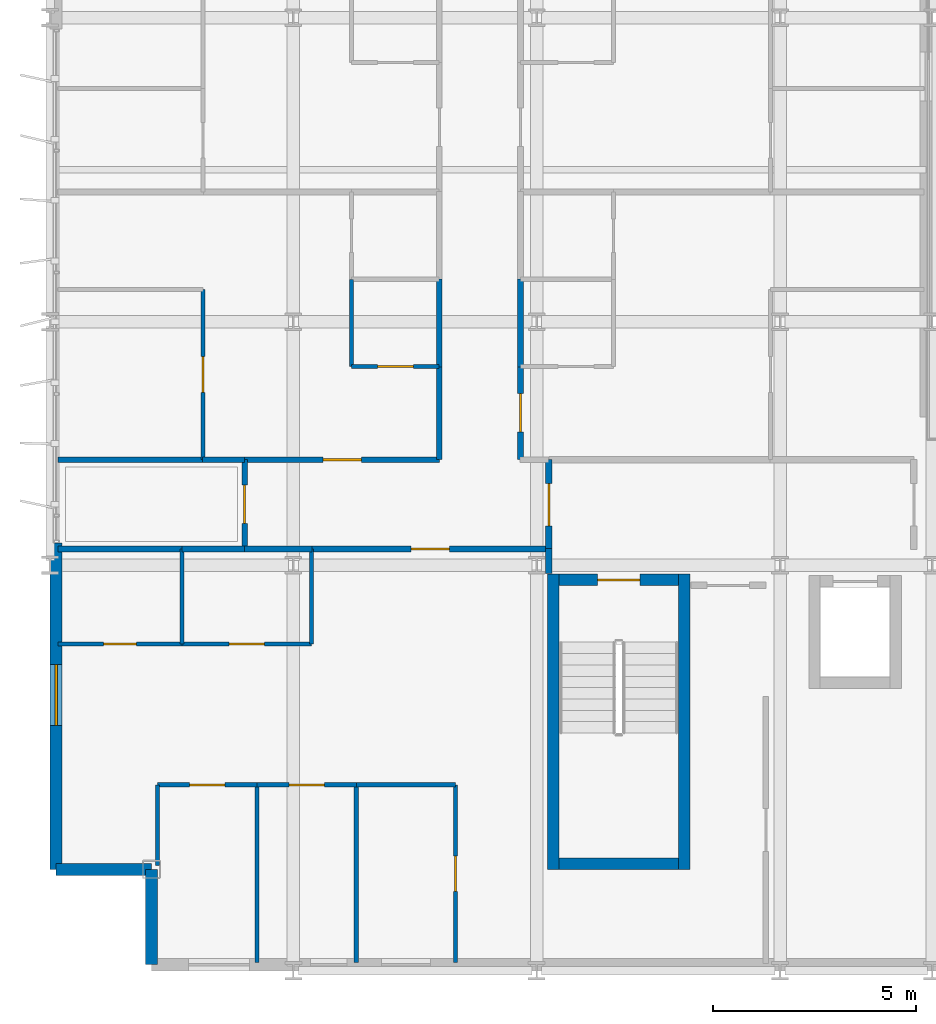
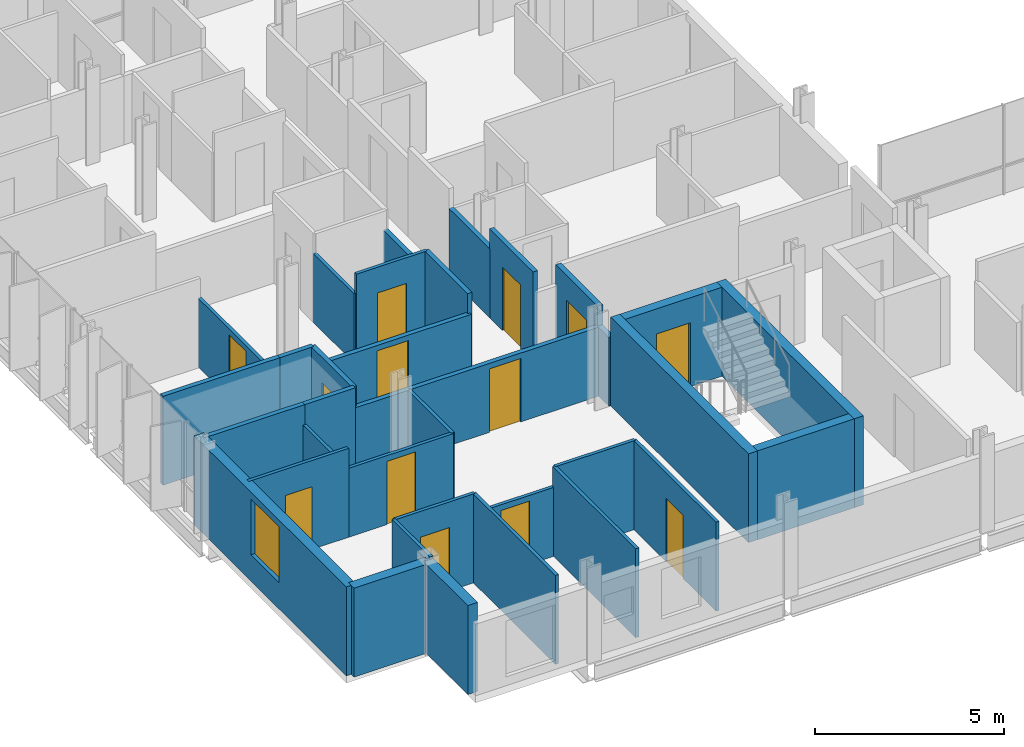
# One storey, part 27 of 39: 35 walls, 13 doors, 1 window, 14 openings.
"""IFC4 building model written with IfcOpenShell, lengths in metres."""

from ifc_helpers import new_model, si_unit, direction, frame, frame_2d, origin, place, context, subcontext, project, spatial, rectangle, extrude, material, layer, layer_set, type_object, element, fill, save


model = new_model("IFC4")

# Units and contexts
model_context = context("Model", 3, precision=1e-05, world=origin(), true_north=direction((0.0, 1.0)))
body_context = subcontext(model_context, "Body", "Model", "MODEL_VIEW")
ifc_project = project(units=[si_unit("LENGTHUNIT", "METRE"), si_unit("AREAUNIT", "SQUARE_METRE"), si_unit("VOLUMEUNIT", "CUBIC_METRE"), si_unit("PLANEANGLEUNIT", "RADIAN"), si_unit("MASSUNIT", "GRAM", prefix="KILO")], contexts=[model_context])

# Site, building, storey
site_placement = place(None, origin())
site = spatial("IfcSite", under=ifc_project, at=site_placement, CompositionType="ELEMENT")
building_placement = place(site_placement, origin())
building = spatial("IfcBuilding", under=site, at=building_placement, Name="Brevholm Reach", CompositionType="ELEMENT")
storey_placement = place(building_placement, frame((0.0, 0.0, 83.800048828125)))
storey = spatial("IfcBuildingStorey", under=building, at=storey_placement, Name="L24", CompositionType="ELEMENT", Elevation=83.800048828125)

# Walls
ifc_material_1 = material(Name="Concrete C50/60", Category="concrete")
ifc_layer_1 = layer(ifc_material_1, 0.280029296875)
ifc_layer_set_1 = layer_set([ifc_layer_1], Name="Concrete C50/60")
wall_type_1 = type_object("IfcWallType", Name="WAL-COR-280", PredefinedType="SHEAR", material=ifc_layer_set_1)
for number, where, z_axis, x_axis, name in (
    (1, (12.409912109375, 2.5, 0.0), (0.0, 0.0, 1.0), (0.0, 1.0, 0.0), "L24 Escape Stair ST-1 Core Wall W"),
    (2, (15.639892578125, 2.5, 0.0), (0.0, 0.0, 1.0), (0.0, 1.0, 0.0), "L24 Escape Stair ST-1 Core Wall E"),
):
    element("IfcWall", number, at=place(storey_placement, frame(where, z_axis=z_axis, x_axis=x_axis)), inside=storey, type_object=wall_type_1, Name=name, PredefinedType="SHEAR", context=body_context, shape_type="SweptSolid", body=[
        extrude(rectangle(XDim=7.280029296875, YDim=0.280029296875, at=frame_2d((3.64013671875, 0.0))), origin(), (0.0, 0.0, 1.0), 2.869873046875),
    ])
wall_1_placement = place(storey_placement, frame((12.550048828125, 2.639892578125, 0.0), z_axis=(0.0, 0.0, 1.0), x_axis=(1.0, 0.0, 0.0)))
element("IfcWall", 3, at=wall_1_placement, inside=storey, type_object=wall_type_1, Name="L24 Escape Stair ST-1 Core Wall S", PredefinedType="SHEAR", context=body_context, shape_type="SweptSolid", body=[
    extrude(rectangle(XDim=2.949951171875, YDim=0.280029296875, at=frame_2d((1.47509765625, 0.0))), origin(), (0.0, 0.0, 1.0), 2.869873046875),
])

# Wall, opening, door
wall_2_placement = place(storey_placement, frame((15.5, 9.639892578125, 0.0), z_axis=(0.0, 0.0, 1.0), x_axis=(-1.0, 0.0, 0.0)))
wall_2 = element("IfcWall", 4, at=wall_2_placement, inside=storey, type_object=wall_type_1, Name="L24 Escape Stair ST-1 Core Wall N", PredefinedType="SHEAR", context=body_context, shape_type="SweptSolid", body=[
    extrude(rectangle(XDim=2.949951171875, YDim=0.280029296875, at=frame_2d((1.47509765625, 0.0))), origin(), (0.0, 0.0, 1.0), 2.869873046875),
])
opening_1_placement = place(wall_2_placement, frame((0.949951171875, 0.0, 0.0)))
opening_1 = element("IfcOpeningElement", 5, at=opening_1_placement, cuts=wall_2, Name="Opening SD-ST-1", PredefinedType="OPENING", context=body_context, shape_type="SweptSolid", body=[
    extrude(rectangle(XDim=1.050048828125, YDim=2.06005859375, at=frame_2d((0.52490234375, 1.030029296875))), frame((0.0, 0.14990234375, 0.0), z_axis=(0.0, -1.0, 0.0), x_axis=(1.0, 0.0, 0.0)), (0.0, 0.0, 1.0), 0.300048828125),
])
ifc_material_2 = material(Name="Hardwood-Lipped Steel-Core Fire and Smoke Door", Category="steel")
door_type_1 = type_object("IfcDoorType", Name="DOR-INT-FD60S", OperationType="NOTDEFINED", PredefinedType="DOOR", material=ifc_material_2)
door_1_placement = place(opening_1_placement, origin())
door_1 = element("IfcDoor", 6, at=door_1_placement, inside=storey, type_object=door_type_1, Name="L24 Protected Stair ST-1 Lobby Door", OperationType="SINGLE_SWING_RIGHT", OverallHeight=2.06005859375, OverallWidth=1.050048828125, PredefinedType="DOOR", context=body_context, shape_type="SweptSolid", body=[
    extrude(rectangle(XDim=1.050048828125, YDim=2.06005859375, at=frame_2d((0.52490234375, 1.030029296875))), frame((0.0, 0.02490234375, 0.0), z_axis=(0.0, -1.0, 0.0), x_axis=(1.0, 0.0, 0.0)), (0.0, 0.0, 1.0), 0.050048828125),
])
fill(opening_1, door_1)

# Walls
ifc_material_3 = material(Name="Concrete C40/50", Category="concrete")
ifc_layer_2 = layer(ifc_material_3, 0.300048828125)
ifc_layer_set_2 = layer_set([ifc_layer_2], Name="Concrete C40/50")
wall_type_2 = type_object("IfcWallType", Name="WAL-EXT-300", PredefinedType="STANDARD", material=ifc_layer_set_2)
for number, where, z_axis, x_axis, name in (
    (7, (2.5, 2.5, 0.0), (0.0, 0.0, 1.0), (0.0, -1.0, 0.0), "L24 Facade Wall WAL-L24-CSW1"),
    (8, (0.14990234375, 2.5, 0.0), (0.0, 0.0, 1.0), (1.0, 0.0, 0.0), "L24 Facade Wall WAL-L24-CSW2"),
):
    element("IfcWall", number, at=place(storey_placement, frame(where, z_axis=z_axis, x_axis=x_axis)), inside=storey, type_object=wall_type_2, Name=name, PredefinedType="STANDARD", context=body_context, shape_type="SweptSolid", body=[
        extrude(rectangle(XDim=2.35009765625, YDim=0.300048828125, at=frame_2d((1.175048828125, 0.0))), origin(), (0.0, 0.0, 1.0), 2.869873046875),
    ])

# Wall, opening, window
wall_3_placement = place(storey_placement, frame((0.14990234375, 10.550048828125, 0.0), z_axis=(0.0, 0.0, 1.0), x_axis=(0.0, -1.0, 0.0)))
wall_3 = element("IfcWall", 9, at=wall_3_placement, inside=storey, type_object=wall_type_2, Name="L24 Facade Wall WAL-L24-W-S", PredefinedType="STANDARD", context=body_context, shape_type="SweptSolid", body=[
    extrude(rectangle(XDim=8.050048828125, YDim=0.300048828125, at=frame_2d((4.02490234375, 0.0))), origin(), (0.0, 0.0, 1.0), 2.869873046875),
])
opening_2_placement = place(wall_3_placement, frame((3.0, 0.0, 0.85009765625)))
opening_2 = element("IfcOpeningElement", 10, at=opening_2_placement, cuts=wall_3, Name="Opening WN-05", PredefinedType="OPENING", context=body_context, shape_type="SweptSolid", body=[
    extrude(rectangle(XDim=1.5, YDim=1.800048828125, at=frame_2d((0.75, 0.89990234375))), frame((0.0, 0.159912109375, 0.0), z_axis=(0.0, -1.0, 0.0), x_axis=(1.0, 0.0, 0.0)), (0.0, 0.0, 1.0), 0.320068359375),
])
ifc_material_4 = material(Name="Dark Anodised Aluminium and Solar-Control IGU Glass", Category="aluminium")
window_type = type_object("IfcWindowType", Name="WIN-RES-1500", PartitioningType="SINGLE_PANEL", PredefinedType="WINDOW", material=ifc_material_4)
window_placement = place(opening_2_placement, origin())
window = element("IfcWindow", 11, at=window_placement, inside=storey, type_object=window_type, Name="L24 Window WIN-L24-WS-1", OverallHeight=1.800048828125, OverallWidth=1.5, PartitioningType="SINGLE_PANEL", PredefinedType="WINDOW", context=body_context, shape_type="SweptSolid", body=[
    extrude(rectangle(XDim=1.5, YDim=1.800048828125, at=frame_2d((0.75, 0.89990234375))), frame((0.0, 0.030029296875, 0.0), z_axis=(0.0, -1.0, 0.0), x_axis=(1.0, 0.0, 0.0)), (0.0, 0.0, 1.0), 0.06005859375),
])
fill(opening_2, window)

# Wall
ifc_material_5 = material(Name="Moisture-Resistant Acoustic Gypsum Stud Partition 100 mm", Category="gypsum")
ifc_layer_3 = layer(ifc_material_5, 0.10009765625)
ifc_layer_set_3 = layer_set([ifc_layer_3], Name="Moisture-Resistant Acoustic Gypsum Stud Partition 100 mm")
wall_type_3 = type_object("IfcWallType", Name="WAL-PRT-100", PredefinedType="PARTITIONING", material=ifc_layer_set_3)
wall_4_placement = place(storey_placement, frame((3.25, 8.053955078125, 0.0), z_axis=(0.0, 0.0, 1.0), x_axis=(0.0, 1.0, 0.0)))
element("IfcWall", 12, at=wall_4_placement, inside=storey, type_object=wall_type_3, Name="L24 Internal Partition 059", PredefinedType="PARTITIONING", context=body_context, shape_type="SweptSolid", body=[
    extrude(rectangle(XDim=2.345947265625, YDim=0.10009765625, at=frame_2d((1.1728515625, 0.0))), origin(), (0.0, 0.0, 1.0), 2.224853515625),
])

# Wall, opening, door
wall_5_placement = place(storey_placement, frame((0.199951171875, 8.053955078125, 0.0), z_axis=(0.0, 0.0, 1.0), x_axis=(1.0, 0.0, 0.0)))
wall_5 = element("IfcWall", 13, at=wall_5_placement, inside=storey, type_object=wall_type_3, Name="L24 Internal Partition 060", PredefinedType="PARTITIONING", context=body_context, shape_type="SweptSolid", body=[
    extrude(rectangle(XDim=3.050048828125, YDim=0.10009765625, at=frame_2d((1.52490234375, 0.0))), origin(), (0.0, 0.0, 1.0), 2.869873046875),
])
opening_3_placement = place(wall_5_placement, frame((1.114990234375, 0.0, 0.0)))
opening_3 = element("IfcOpeningElement", 14, at=opening_3_placement, cuts=wall_5, Name="Opening ID-03", PredefinedType="OPENING", context=body_context, shape_type="SweptSolid", body=[
    extrude(rectangle(XDim=0.820068359375, YDim=2.02001953125, at=frame_2d((0.41015625, 1.010009765625))), frame((0.0, 0.06005859375, 0.0), z_axis=(0.0, -1.0, 0.0), x_axis=(1.0, 0.0, 0.0)), (0.0, 0.0, 1.0), 0.1201171875),
])
ifc_material_6 = material(Name="Moisture-Resistant Painted Timber Internal Bathroom Door", Category="wood")
door_type_2 = type_object("IfcDoorType", Name="DOR-BATH-820", OperationType="NOTDEFINED", PredefinedType="DOOR", material=ifc_material_6)
door_2_placement = place(opening_3_placement, origin())
door_2 = element("IfcDoor", 15, at=door_2_placement, inside=storey, type_object=door_type_2, Name="L24 Internal Door 025", OperationType="SINGLE_SWING_RIGHT", OverallHeight=2.02001953125, OverallWidth=0.820068359375, PredefinedType="DOOR", context=body_context, shape_type="SweptSolid", body=[
    extrude(rectangle(XDim=0.820068359375, YDim=2.02001953125, at=frame_2d((0.41015625, 1.010009765625))), frame((0.0, 0.02490234375, 0.0), z_axis=(0.0, -1.0, 0.0), x_axis=(1.0, 0.0, 0.0)), (0.0, 0.0, 1.0), 0.050048828125),
])
fill(opening_3, door_2)

wall_6_placement = place(storey_placement, frame((3.25390625, 8.053955078125, 0.0), z_axis=(0.0, 0.0, 1.0), x_axis=(1.0, 0.0, 0.0)))
wall_6 = element("IfcWall", 16, at=wall_6_placement, inside=storey, type_object=wall_type_3, Name="L24 Internal Partition 062", PredefinedType="PARTITIONING", context=body_context, shape_type="SweptSolid", body=[
    extrude(rectangle(XDim=3.196044921875, YDim=0.10009765625, at=frame_2d((1.59814453125, 0.0))), origin(), (0.0, 0.0, 1.0), 2.224853515625),
])
opening_4_placement = place(wall_6_placement, frame((1.157958984375, 0.0, 0.0)))
opening_4 = element("IfcOpeningElement", 17, at=opening_4_placement, cuts=wall_6, Name="Opening ID-01", PredefinedType="OPENING", context=body_context, shape_type="SweptSolid", body=[
    extrude(rectangle(XDim=0.8798828125, YDim=2.0400390625, at=frame_2d((0.43994140625, 1.02001953125))), frame((0.0, 0.06005859375, 0.0), z_axis=(0.0, -1.0, 0.0), x_axis=(1.0, 0.0, 0.0)), (0.0, 0.0, 1.0), 0.1201171875),
])
ifc_material_7 = material(Name="Lacquered Ash Solid-Core Acoustic Internal Door", Category="timber")
door_type_3 = type_object("IfcDoorType", Name="DOR-INT-880", OperationType="NOTDEFINED", PredefinedType="DOOR", material=ifc_material_7)
door_3_placement = place(opening_4_placement, origin())
door_3 = element("IfcDoor", 18, at=door_3_placement, inside=storey, type_object=door_type_3, Name="L24 Internal Door 026", OperationType="SINGLE_SWING_LEFT", OverallHeight=2.0400390625, OverallWidth=0.8798828125, PredefinedType="DOOR", context=body_context, shape_type="SweptSolid", body=[
    extrude(rectangle(XDim=0.8798828125, YDim=2.0400390625, at=frame_2d((0.43994140625, 1.02001953125))), frame((0.0, 0.02490234375, 0.0), z_axis=(0.0, -1.0, 0.0), x_axis=(1.0, 0.0, 0.0)), (0.0, 0.0, 1.0), 0.050048828125),
])
fill(opening_4, door_3)

# Walls
wall_7_placement = place(storey_placement, frame((6.449951171875, 8.053955078125, 0.0), z_axis=(0.0, 0.0, 1.0), x_axis=(0.0, 1.0, 0.0)))
element("IfcWall", 19, at=wall_7_placement, inside=storey, type_object=wall_type_3, Name="L24 Internal Partition 063", PredefinedType="PARTITIONING", context=body_context, shape_type="SweptSolid", body=[
    extrude(rectangle(XDim=2.342041015625, YDim=0.10009765625, at=frame_2d((1.1708984375, 0.0))), origin(), (0.0, 0.0, 1.0), 2.224853515625),
])
wall_8_placement = place(storey_placement, frame((5.10009765625, 0.199951171875, 0.0), z_axis=(0.0, 0.0, 1.0), x_axis=(0.0, 1.0, 0.0)))
element("IfcWall", 20, at=wall_8_placement, inside=storey, type_object=wall_type_3, Name="L24 Internal Partition 065", PredefinedType="PARTITIONING", context=body_context, shape_type="SweptSolid", body=[
    extrude(rectangle(XDim=4.385986328125, YDim=0.10009765625, at=frame_2d((2.19287109375, 0.0))), origin(), (0.0, 0.0, 1.0), 2.869873046875),
])
wall_9_placement = place(storey_placement, frame((2.64990234375, 2.599365234375, 0.0), z_axis=(0.0, 0.0, 1.0), x_axis=(0.0, 1.0, 0.0)))
element("IfcWall", 21, at=wall_9_placement, inside=storey, type_object=wall_type_3, Name="L24 Internal Partition 066", PredefinedType="PARTITIONING", context=body_context, shape_type="SweptSolid", body=[
    extrude(rectangle(XDim=1.986572265625, YDim=0.10009765625, at=frame_2d((0.9931640625, 0.0))), origin(), (0.0, 0.0, 1.0), 2.869873046875),
])

# Wall, opening, door
wall_10_placement = place(storey_placement, frame((2.64990234375, 4.5859375, 0.0), z_axis=(0.0, 0.0, 1.0), x_axis=(1.0, 0.0, 0.0)))
wall_10 = element("IfcWall", 22, at=wall_10_placement, inside=storey, type_object=wall_type_3, Name="L24 Internal Partition 067", PredefinedType="PARTITIONING", context=body_context, shape_type="SweptSolid", body=[
    extrude(rectangle(XDim=2.4501953125, YDim=0.10009765625, at=frame_2d((1.22509765625, 0.0))), origin(), (0.0, 0.0, 1.0), 2.869873046875),
])
opening_5_placement = place(wall_10_placement, frame((0.784912109375, 0.0, 0.0)))
opening_5 = element("IfcOpeningElement", 23, at=opening_5_placement, cuts=wall_10, Name="Opening ID-01", PredefinedType="OPENING", context=body_context, shape_type="SweptSolid", body=[
    extrude(rectangle(XDim=0.8798828125, YDim=2.0400390625, at=frame_2d((0.43994140625, 1.02001953125))), frame((0.0, 0.06005859375, 0.0), z_axis=(0.0, -1.0, 0.0), x_axis=(1.0, 0.0, 0.0)), (0.0, 0.0, 1.0), 0.1201171875),
])
door_4_placement = place(opening_5_placement, origin())
door_4 = element("IfcDoor", 24, at=door_4_placement, inside=storey, type_object=door_type_3, Name="L24 Internal Door 027", OperationType="SINGLE_SWING_RIGHT", OverallHeight=2.0400390625, OverallWidth=0.8798828125, PredefinedType="DOOR", context=body_context, shape_type="SweptSolid", body=[
    extrude(rectangle(XDim=0.8798828125, YDim=2.0400390625, at=frame_2d((0.43994140625, 1.02001953125))), frame((0.0, 0.02490234375, 0.0), z_axis=(0.0, -1.0, 0.0), x_axis=(1.0, 0.0, 0.0)), (0.0, 0.0, 1.0), 0.050048828125),
])
fill(opening_5, door_4)

# Wall
wall_11_placement = place(storey_placement, frame((7.550048828125, 0.199951171875, 0.0), z_axis=(0.0, 0.0, 1.0), x_axis=(0.0, 1.0, 0.0)))
element("IfcWall", 25, at=wall_11_placement, inside=storey, type_object=wall_type_3, Name="L24 Internal Partition 068", PredefinedType="PARTITIONING", context=body_context, shape_type="SweptSolid", body=[
    extrude(rectangle(XDim=4.385986328125, YDim=0.10009765625, at=frame_2d((2.19287109375, 0.0))), origin(), (0.0, 0.0, 1.0), 2.869873046875),
])

# Wall, opening, door
wall_12_placement = place(storey_placement, frame((5.10400390625, 4.5859375, 0.0), z_axis=(0.0, 0.0, 1.0), x_axis=(1.0, 0.0, 0.0)))
wall_12 = element("IfcWall", 26, at=wall_12_placement, inside=storey, type_object=wall_type_3, Name="L24 Internal Partition 069", PredefinedType="PARTITIONING", context=body_context, shape_type="SweptSolid", body=[
    extrude(rectangle(XDim=2.446044921875, YDim=0.10009765625, at=frame_2d((1.22314453125, 0.0))), origin(), (0.0, 0.0, 1.0), 2.224853515625),
])
opening_6_placement = place(wall_12_placement, frame((0.782958984375, 0.0, 0.0)))
opening_6 = element("IfcOpeningElement", 27, at=opening_6_placement, cuts=wall_12, Name="Opening ID-01", PredefinedType="OPENING", context=body_context, shape_type="SweptSolid", body=[
    extrude(rectangle(XDim=0.8798828125, YDim=2.0400390625, at=frame_2d((0.43994140625, 1.02001953125))), frame((0.0, 0.06005859375, 0.0), z_axis=(0.0, -1.0, 0.0), x_axis=(1.0, 0.0, 0.0)), (0.0, 0.0, 1.0), 0.1201171875),
])
door_5_placement = place(opening_6_placement, origin())
door_5 = element("IfcDoor", 28, at=door_5_placement, inside=storey, type_object=door_type_3, Name="L24 Internal Door 028", OperationType="SINGLE_SWING_LEFT", OverallHeight=2.0400390625, OverallWidth=0.8798828125, PredefinedType="DOOR", context=body_context, shape_type="SweptSolid", body=[
    extrude(rectangle(XDim=0.8798828125, YDim=2.0400390625, at=frame_2d((0.43994140625, 1.02001953125))), frame((0.0, 0.02490234375, 0.0), z_axis=(0.0, -1.0, 0.0), x_axis=(1.0, 0.0, 0.0)), (0.0, 0.0, 1.0), 0.050048828125),
])
fill(opening_6, door_5)

wall_13_placement = place(storey_placement, frame((10.0, 0.199951171875, 0.0), z_axis=(0.0, 0.0, 1.0), x_axis=(0.0, 1.0, 0.0)))
wall_13 = element("IfcWall", 29, at=wall_13_placement, inside=storey, type_object=wall_type_3, Name="L24 Internal Partition 070", PredefinedType="PARTITIONING", context=body_context, shape_type="SweptSolid", body=[
    extrude(rectangle(XDim=4.385986328125, YDim=0.10009765625, at=frame_2d((2.19287109375, 0.0))), origin(), (0.0, 0.0, 1.0), 2.869873046875),
])
opening_7_placement = place(wall_13_placement, frame((1.7529296875, 0.0, 0.0)))
opening_7 = element("IfcOpeningElement", 30, at=opening_7_placement, cuts=wall_13, Name="Opening ID-01", PredefinedType="OPENING", context=body_context, shape_type="SweptSolid", body=[
    extrude(rectangle(XDim=0.8798828125, YDim=2.0400390625, at=frame_2d((0.43994140625, 1.02001953125))), frame((0.0, 0.06005859375, 0.0), z_axis=(0.0, -1.0, 0.0), x_axis=(1.0, 0.0, 0.0)), (0.0, 0.0, 1.0), 0.1201171875),
])
door_6_placement = place(opening_7_placement, origin())
door_6 = element("IfcDoor", 31, at=door_6_placement, inside=storey, type_object=door_type_3, Name="L24 Internal Door 029", OperationType="SINGLE_SWING_RIGHT", OverallHeight=2.0400390625, OverallWidth=0.8798828125, PredefinedType="DOOR", context=body_context, shape_type="SweptSolid", body=[
    extrude(rectangle(XDim=0.8798828125, YDim=2.0400390625, at=frame_2d((0.43994140625, 1.02001953125))), frame((0.0, 0.02490234375, 0.0), z_axis=(0.0, -1.0, 0.0), x_axis=(1.0, 0.0, 0.0)), (0.0, 0.0, 1.0), 0.050048828125),
])
fill(opening_7, door_6)

# Wall
wall_14_placement = place(storey_placement, frame((7.553955078125, 4.5859375, 0.0), z_axis=(0.0, 0.0, 1.0), x_axis=(1.0, 0.0, 0.0)))
element("IfcWall", 32, at=wall_14_placement, inside=storey, type_object=wall_type_3, Name="L24 Internal Partition 071", PredefinedType="PARTITIONING", context=body_context, shape_type="SweptSolid", body=[
    extrude(rectangle(XDim=2.446044921875, YDim=0.10009765625, at=frame_2d((1.22314453125, 0.0))), origin(), (0.0, 0.0, 1.0), 2.869873046875),
])

# Wall, opening, door
wall_15_placement = place(storey_placement, frame((7.43798828125, 14.89990234375, 0.0), z_axis=(0.0, 0.0, 1.0), x_axis=(1.0, 0.0, 0.0)))
wall_15 = element("IfcWall", 33, at=wall_15_placement, inside=storey, type_object=wall_type_3, Name="L24 Internal Partition 089", PredefinedType="PARTITIONING", context=body_context, shape_type="SweptSolid", body=[
    extrude(rectangle(XDim=2.157958984375, YDim=0.10009765625, at=frame_2d((1.0791015625, 0.0))), origin(), (0.0, 0.0, 1.0), 2.869873046875),
])
opening_8_placement = place(wall_15_placement, frame((0.638916015625, 0.0, 0.0)))
opening_8 = element("IfcOpeningElement", 34, at=opening_8_placement, cuts=wall_15, Name="Opening ID-01", PredefinedType="OPENING", context=body_context, shape_type="SweptSolid", body=[
    extrude(rectangle(XDim=0.8798828125, YDim=2.0400390625, at=frame_2d((0.43994140625, 1.02001953125))), frame((0.0, 0.06005859375, 0.0), z_axis=(0.0, -1.0, 0.0), x_axis=(1.0, 0.0, 0.0)), (0.0, 0.0, 1.0), 0.1201171875),
])
door_7_placement = place(opening_8_placement, origin())
door_7 = element("IfcDoor", 35, at=door_7_placement, inside=storey, type_object=door_type_3, Name="L24 Internal Door 035", OperationType="SINGLE_SWING_RIGHT", OverallHeight=2.0400390625, OverallWidth=0.8798828125, PredefinedType="DOOR", context=body_context, shape_type="SweptSolid", body=[
    extrude(rectangle(XDim=0.8798828125, YDim=2.0400390625, at=frame_2d((0.43994140625, 1.02001953125))), frame((0.0, 0.02490234375, 0.0), z_axis=(0.0, -1.0, 0.0), x_axis=(1.0, 0.0, 0.0)), (0.0, 0.0, 1.0), 0.050048828125),
])
fill(opening_8, door_7)

# Wall
wall_16_placement = place(storey_placement, frame((7.43798828125, 14.89990234375, 0.0), z_axis=(0.0, 0.0, 1.0), x_axis=(0.0, 1.0, 0.0)))
element("IfcWall", 36, at=wall_16_placement, inside=storey, type_object=wall_type_3, Name="L24 Internal Partition 090", PredefinedType="PARTITIONING", context=body_context, shape_type="SweptSolid", body=[
    extrude(rectangle(XDim=2.14599609375, YDim=0.10009765625, at=frame_2d((1.072998046875, 0.0))), origin(), (0.0, 0.0, 1.0), 2.224853515625),
])

# Wall, opening, door
wall_17_placement = place(storey_placement, frame((3.77197265625, 12.60400390625, 0.0), z_axis=(0.0, 0.0, 1.0), x_axis=(0.0, 1.0, 0.0)))
wall_17 = element("IfcWall", 37, at=wall_17_placement, inside=storey, type_object=wall_type_3, Name="L24 Internal Partition 091", PredefinedType="PARTITIONING", context=body_context, shape_type="SweptSolid", body=[
    extrude(rectangle(XDim=4.196044921875, YDim=0.10009765625, at=frame_2d((2.09814453125, 0.0))), origin(), (0.0, 0.0, 1.0), 2.224853515625),
])
opening_9_placement = place(wall_17_placement, frame((1.657958984375, 0.0, 0.0)))
opening_9 = element("IfcOpeningElement", 38, at=opening_9_placement, cuts=wall_17, Name="Opening ID-01", PredefinedType="OPENING", context=body_context, shape_type="SweptSolid", body=[
    extrude(rectangle(XDim=0.8798828125, YDim=2.0400390625, at=frame_2d((0.43994140625, 1.02001953125))), frame((0.0, 0.06005859375, 0.0), z_axis=(0.0, -1.0, 0.0), x_axis=(1.0, 0.0, 0.0)), (0.0, 0.0, 1.0), 0.1201171875),
])
door_8_placement = place(opening_9_placement, origin())
door_8 = element("IfcDoor", 39, at=door_8_placement, inside=storey, type_object=door_type_3, Name="L24 Internal Door 036", OperationType="SINGLE_SWING_LEFT", OverallHeight=2.0400390625, OverallWidth=0.8798828125, PredefinedType="DOOR", context=body_context, shape_type="SweptSolid", body=[
    extrude(rectangle(XDim=0.8798828125, YDim=2.0400390625, at=frame_2d((0.43994140625, 1.02001953125))), frame((0.0, 0.02490234375, 0.0), z_axis=(0.0, -1.0, 0.0), x_axis=(1.0, 0.0, 0.0)), (0.0, 0.0, 1.0), 0.050048828125),
])
fill(opening_9, door_8)

# Wall
ifc_material_8 = material(Name="Twin-Stud Acoustic Fire-Rated Gypsum Partition 140 mm", Category="gypsum")
ifc_layer_4 = layer(ifc_material_8, 0.139892578125)
ifc_layer_set_4 = layer_set([ifc_layer_4], Name="Twin-Stud Acoustic Fire-Rated Gypsum Partition 140 mm")
wall_type_4 = type_object("IfcWallType", Name="WAL-PRT-140", PredefinedType="PARTITIONING", material=ifc_layer_set_4)
wall_18_placement = place(storey_placement, frame((4.800048828125, 10.39990234375, 0.0), z_axis=(0.0, 0.0, 1.0), x_axis=(1.0, 0.0, 0.0)))
element("IfcWall", 40, at=wall_18_placement, inside=storey, type_object=wall_type_4, Name="L24 Internal Partition 020", PredefinedType="PARTITIONING", context=body_context, shape_type="SweptSolid", body=[
    extrude(rectangle(XDim=1.6611328125, YDim=0.139892578125, at=frame_2d((0.83056640625, 0.0))), origin(), (0.0, 0.0, 1.0), 2.224853515625),
])

# Wall, opening, door
wall_19_placement = place(storey_placement, frame((6.442626953125, 10.39990234375, 0.0), z_axis=(0.0, 0.0, 1.0), x_axis=(1.0, 0.0, 0.0)))
wall_19 = element("IfcWall", 41, at=wall_19_placement, inside=storey, type_object=wall_type_4, Name="L24 Internal Partition 021", PredefinedType="PARTITIONING", context=body_context, shape_type="SweptSolid", body=[
    extrude(rectangle(XDim=5.853271484375, YDim=0.139892578125, at=frame_2d((2.9267578125, 0.0))), origin(), (0.0, 0.0, 1.0), 2.224853515625),
])
opening_10_placement = place(wall_19_placement, frame((2.45166015625, 0.0, 0.0)))
opening_10 = element("IfcOpeningElement", 42, at=opening_10_placement, cuts=wall_19, Name="Opening ID-30", PredefinedType="OPENING", context=body_context, shape_type="SweptSolid", body=[
    extrude(rectangle(XDim=0.949951171875, YDim=2.050048828125, at=frame_2d((0.47509765625, 1.02490234375))), frame((0.0, 0.079833984375, 0.0), z_axis=(0.0, -1.0, 0.0), x_axis=(1.0, 0.0, 0.0)), (0.0, 0.0, 1.0), 0.159912109375),
])
ifc_material_9 = material(Name="European Oak Veneered Solid-Core Fire Entrance Door", Category="timber")
door_type_4 = type_object("IfcDoorType", Name="DOR-FLT-FD30S", OperationType="NOTDEFINED", PredefinedType="DOOR", material=ifc_material_9)
door_9_placement = place(opening_10_placement, origin())
door_9 = element("IfcDoor", 43, at=door_9_placement, inside=storey, type_object=door_type_4, Name="L24 Internal Door 013", OperationType="SINGLE_SWING_RIGHT", OverallHeight=2.050048828125, OverallWidth=0.949951171875, PredefinedType="DOOR", context=body_context, shape_type="SweptSolid", body=[
    extrude(rectangle(XDim=0.949951171875, YDim=2.050048828125, at=frame_2d((0.47509765625, 1.02490234375))), frame((0.0, 0.02490234375, 0.0), z_axis=(0.0, -1.0, 0.0), x_axis=(1.0, 0.0, 0.0)), (0.0, 0.0, 1.0), 0.050048828125),
])
fill(opening_10, door_9)

wall_20_placement = place(storey_placement, frame((4.800048828125, 10.39990234375, 0.0), z_axis=(0.0, 0.0, 1.0), x_axis=(0.0, 1.0, 0.0)))
wall_20 = element("IfcWall", 44, at=wall_20_placement, inside=storey, type_object=wall_type_4, Name="L24 Internal Partition 022", PredefinedType="PARTITIONING", context=body_context, shape_type="SweptSolid", body=[
    extrude(rectangle(XDim=2.2001953125, YDim=0.139892578125, at=frame_2d((1.10009765625, 0.0))), origin(), (0.0, 0.0, 1.0), 2.869873046875),
])
opening_11_placement = place(wall_20_placement, frame((0.625, 0.0, 0.0)))
opening_11 = element("IfcOpeningElement", 45, at=opening_11_placement, cuts=wall_20, Name="Opening ID-30", PredefinedType="OPENING", context=body_context, shape_type="SweptSolid", body=[
    extrude(rectangle(XDim=0.949951171875, YDim=2.050048828125, at=frame_2d((0.47509765625, 1.02490234375))), frame((0.0, 0.079833984375, 0.0), z_axis=(0.0, -1.0, 0.0), x_axis=(1.0, 0.0, 0.0)), (0.0, 0.0, 1.0), 0.159912109375),
])
door_10_placement = place(opening_11_placement, origin())
door_10 = element("IfcDoor", 46, at=door_10_placement, inside=storey, type_object=door_type_4, Name="L24 Internal Door 014", OperationType="SINGLE_SWING_LEFT", OverallHeight=2.050048828125, OverallWidth=0.949951171875, PredefinedType="DOOR", context=body_context, shape_type="SweptSolid", body=[
    extrude(rectangle(XDim=0.949951171875, YDim=2.050048828125, at=frame_2d((0.47509765625, 1.02490234375))), frame((0.0, 0.02490234375, 0.0), z_axis=(0.0, -1.0, 0.0), x_axis=(1.0, 0.0, 0.0)), (0.0, 0.0, 1.0), 0.050048828125),
])
fill(opening_11, door_10)

wall_21_placement = place(storey_placement, frame((4.800048828125, 12.60009765625, 0.0), z_axis=(0.0, 0.0, 1.0), x_axis=(1.0, 0.0, 0.0)))
wall_21 = element("IfcWall", 47, at=wall_21_placement, inside=storey, type_object=wall_type_4, Name="L24 Internal Partition 023", PredefinedType="PARTITIONING", context=body_context, shape_type="SweptSolid", body=[
    extrude(rectangle(XDim=4.807373046875, YDim=0.139892578125, at=frame_2d((2.40380859375, 0.0))), origin(), (0.0, 0.0, 1.0), 2.224853515625),
])
opening_12_placement = place(wall_21_placement, frame((1.9287109375, 0.0, 0.0)))
opening_12 = element("IfcOpeningElement", 48, at=opening_12_placement, cuts=wall_21, Name="Opening ID-30", PredefinedType="OPENING", context=body_context, shape_type="SweptSolid", body=[
    extrude(rectangle(XDim=0.949951171875, YDim=2.050048828125, at=frame_2d((0.47509765625, 1.02490234375))), frame((0.0, 0.079833984375, 0.0), z_axis=(0.0, -1.0, 0.0), x_axis=(1.0, 0.0, 0.0)), (0.0, 0.0, 1.0), 0.159912109375),
])
door_11_placement = place(opening_12_placement, origin())
door_11 = element("IfcDoor", 49, at=door_11_placement, inside=storey, type_object=door_type_4, Name="L24 Internal Door 015", OperationType="SINGLE_SWING_RIGHT", OverallHeight=2.050048828125, OverallWidth=0.949951171875, PredefinedType="DOOR", context=body_context, shape_type="SweptSolid", body=[
    extrude(rectangle(XDim=0.949951171875, YDim=2.050048828125, at=frame_2d((0.47509765625, 1.02490234375))), frame((0.0, 0.02490234375, 0.0), z_axis=(0.0, -1.0, 0.0), x_axis=(1.0, 0.0, 0.0)), (0.0, 0.0, 1.0), 0.050048828125),
])
fill(opening_12, door_11)

# Walls
wall_22_placement = place(storey_placement, frame((9.60009765625, 14.888671875, 0.0), z_axis=(0.0, 0.0, 1.0), x_axis=(0.0, 1.0, 0.0)))
element("IfcWall", 50, at=wall_22_placement, inside=storey, type_object=wall_type_4, Name="L24 Internal Partition 029", PredefinedType="PARTITIONING", context=body_context, shape_type="SweptSolid", body=[
    extrude(rectangle(XDim=2.168701171875, YDim=0.139892578125, at=frame_2d((1.08447265625, 0.0))), origin(), (0.0, 0.0, 1.0), 2.224853515625),
])
wall_23_placement = place(storey_placement, frame((9.60009765625, 12.60400390625, 0.0), z_axis=(0.0, 0.0, 1.0), x_axis=(0.0, 1.0, 0.0)))
element("IfcWall", 51, at=wall_23_placement, inside=storey, type_object=wall_type_4, Name="L24 Internal Partition 030", PredefinedType="PARTITIONING", context=body_context, shape_type="SweptSolid", body=[
    extrude(rectangle(XDim=2.30322265625, YDim=0.139892578125, at=frame_2d((1.151611328125, 0.0))), origin(), (0.0, 0.0, 1.0), 2.869873046875),
])
wall_24_placement = place(storey_placement, frame((11.60009765625, 14.888671875, 0.0), z_axis=(0.0, 0.0, 1.0), x_axis=(0.0, 1.0, 0.0)))
element("IfcWall", 52, at=wall_24_placement, inside=storey, type_object=wall_type_4, Name="L24 Internal Partition 035", PredefinedType="PARTITIONING", context=body_context, shape_type="SweptSolid", body=[
    extrude(rectangle(XDim=2.168701171875, YDim=0.139892578125, at=frame_2d((1.08447265625, 0.0))), origin(), (0.0, 0.0, 1.0), 2.224853515625),
])

# Wall, opening, door
wall_25_placement = place(storey_placement, frame((11.60009765625, 12.60400390625, 0.0), z_axis=(0.0, 0.0, 1.0), x_axis=(0.0, 1.0, 0.0)))
wall_25 = element("IfcWall", 53, at=wall_25_placement, inside=storey, type_object=wall_type_4, Name="L24 Internal Partition 036", PredefinedType="PARTITIONING", context=body_context, shape_type="SweptSolid", body=[
    extrude(rectangle(XDim=2.30322265625, YDim=0.139892578125, at=frame_2d((1.151611328125, 0.0))), origin(), (0.0, 0.0, 1.0), 2.869873046875),
])
opening_13_placement = place(wall_25_placement, frame((0.6767578125, 0.0, 0.0)))
opening_13 = element("IfcOpeningElement", 54, at=opening_13_placement, cuts=wall_25, Name="Opening ID-30", PredefinedType="OPENING", context=body_context, shape_type="SweptSolid", body=[
    extrude(rectangle(XDim=0.949951171875, YDim=2.050048828125, at=frame_2d((0.47509765625, 1.02490234375))), frame((0.0, 0.079833984375, 0.0), z_axis=(0.0, -1.0, 0.0), x_axis=(1.0, 0.0, 0.0)), (0.0, 0.0, 1.0), 0.159912109375),
])
door_12_placement = place(opening_13_placement, origin())
door_12 = element("IfcDoor", 55, at=door_12_placement, inside=storey, type_object=door_type_4, Name="L24 Internal Door 017", OperationType="SINGLE_SWING_RIGHT", OverallHeight=2.050048828125, OverallWidth=0.949951171875, PredefinedType="DOOR", context=body_context, shape_type="SweptSolid", body=[
    extrude(rectangle(XDim=0.949951171875, YDim=2.050048828125, at=frame_2d((0.47509765625, 1.02490234375))), frame((0.0, 0.02490234375, 0.0), z_axis=(0.0, -1.0, 0.0), x_axis=(1.0, 0.0, 0.0)), (0.0, 0.0, 1.0), 0.050048828125),
])
fill(opening_13, door_12)

# Walls
wall_26_placement = place(storey_placement, frame((0.199951171875, 10.39990234375, 0.0), z_axis=(0.0, 0.0, 1.0), x_axis=(1.0, 0.0, 0.0)))
element("IfcWall", 56, at=wall_26_placement, inside=storey, type_object=wall_type_4, Name="L24 Internal Partition 061", PredefinedType="PARTITIONING", context=body_context, shape_type="SweptSolid", body=[
    extrude(rectangle(XDim=3.050048828125, YDim=0.139892578125, at=frame_2d((1.52490234375, 0.0))), origin(), (0.0, 0.0, 1.0), 2.869873046875),
])
wall_27_placement = place(storey_placement, frame((3.25390625, 10.39990234375, 0.0), z_axis=(0.0, 0.0, 1.0), x_axis=(1.0, 0.0, 0.0)))
element("IfcWall", 57, at=wall_27_placement, inside=storey, type_object=wall_type_4, Name="L24 Internal Partition 064", PredefinedType="PARTITIONING", context=body_context, shape_type="SweptSolid", body=[
    extrude(rectangle(XDim=1.5419921875, YDim=0.139892578125, at=frame_2d((0.77099609375, 0.0))), origin(), (0.0, 0.0, 1.0), 2.869873046875),
])
wall_28_placement = place(storey_placement, frame((0.199951171875, 12.60009765625, 0.0), z_axis=(0.0, 0.0, 1.0), x_axis=(1.0, 0.0, 0.0)))
element("IfcWall", 58, at=wall_28_placement, inside=storey, type_object=wall_type_4, Name="L24 Internal Partition 072", PredefinedType="PARTITIONING", context=body_context, shape_type="SweptSolid", body=[
    extrude(rectangle(XDim=3.583251953125, YDim=0.139892578125, at=frame_2d((1.79150390625, 0.0))), origin(), (0.0, 0.0, 1.0), 2.869873046875),
])
wall_29_placement = place(storey_placement, frame((3.7646484375, 12.60009765625, 0.0), z_axis=(0.0, 0.0, 1.0), x_axis=(1.0, 0.0, 0.0)))
element("IfcWall", 59, at=wall_29_placement, inside=storey, type_object=wall_type_4, Name="L24 Internal Partition 073", PredefinedType="PARTITIONING", context=body_context, shape_type="SweptSolid", body=[
    extrude(rectangle(XDim=1.03125, YDim=0.139892578125, at=frame_2d((0.515625, 0.0))), origin(), (0.0, 0.0, 1.0), 2.869873046875),
])

# Wall, opening, door
ifc_material_10 = material(Name="Twin-Frame Fire-Rated Gypsum Board and Mineral Wool 160 mm", Category="gypsum")
ifc_layer_5 = layer(ifc_material_10, 0.159912109375)
ifc_layer_set_5 = layer_set([ifc_layer_5], Name="Twin-Frame Fire-Rated Gypsum Board and Mineral Wool 160 mm")
wall_type_5 = type_object("IfcWallType", Name="WAL-PRT-160", PredefinedType="PARTITIONING", material=ifc_layer_set_5)
wall_30_placement = place(storey_placement, frame((12.300048828125, 10.388671875, 0.0), z_axis=(0.0, 0.0, 1.0), x_axis=(0.0, 1.0, 0.0)))
wall_30 = element("IfcWall", 60, at=wall_30_placement, inside=storey, type_object=wall_type_5, Name="L24 Internal Partition 012", PredefinedType="PARTITIONING", context=body_context, shape_type="SweptSolid", body=[
    extrude(rectangle(XDim=2.21142578125, YDim=0.159912109375, at=frame_2d((1.105712890625, 0.0))), origin(), (0.0, 0.0, 1.0), 2.869873046875),
])
opening_14_placement = place(wall_30_placement, frame((0.58056640625, 0.0, 0.0)))
opening_14 = element("IfcOpeningElement", 61, at=opening_14_placement, cuts=wall_30, Name="Opening FD-01", PredefinedType="OPENING", context=body_context, shape_type="SweptSolid", body=[
    extrude(rectangle(XDim=1.050048828125, YDim=2.06005859375, at=frame_2d((0.52490234375, 1.030029296875))), frame((0.0, 0.08984375, 0.0), z_axis=(0.0, -1.0, 0.0), x_axis=(1.0, 0.0, 0.0)), (0.0, 0.0, 1.0), 0.179931640625),
])
door_13_placement = place(opening_14_placement, origin())
door_13 = element("IfcDoor", 62, at=door_13_placement, inside=storey, type_object=door_type_1, Name="L24 Internal Door 009", OperationType="SINGLE_SWING_RIGHT", OverallHeight=2.06005859375, OverallWidth=1.050048828125, PredefinedType="DOOR", context=body_context, shape_type="SweptSolid", body=[
    extrude(rectangle(XDim=1.050048828125, YDim=2.06005859375, at=frame_2d((0.52490234375, 1.030029296875))), frame((0.0, 0.02490234375, 0.0), z_axis=(0.0, -1.0, 0.0), x_axis=(1.0, 0.0, 0.0)), (0.0, 0.0, 1.0), 0.050048828125),
])
fill(opening_14, door_13)

# Wall
wall_31_placement = place(storey_placement, frame((12.300048828125, 9.7900390625, 0.0), z_axis=(0.0, 0.0, 1.0), x_axis=(0.0, 1.0, 0.0)))
element("IfcWall", 63, at=wall_31_placement, inside=storey, type_object=wall_type_5, Name="L24 Internal Partition 014", PredefinedType="PARTITIONING", context=body_context, shape_type="SweptSolid", body=[
    extrude(rectangle(XDim=0.6171875, YDim=0.159912109375, at=frame_2d((0.30859375, 0.0))), origin(), (0.0, 0.0, 1.0), 2.224853515625),
])

save(model, "model.ifc")
